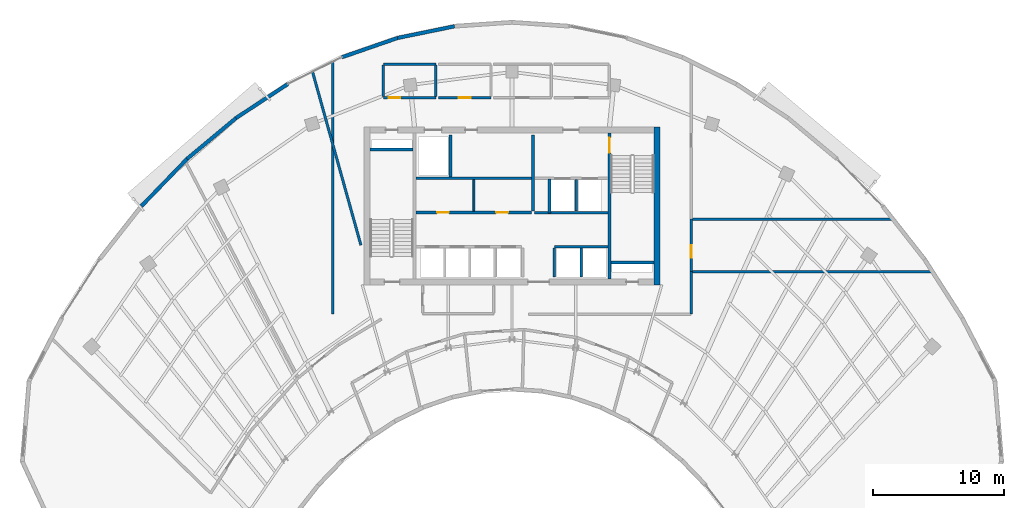
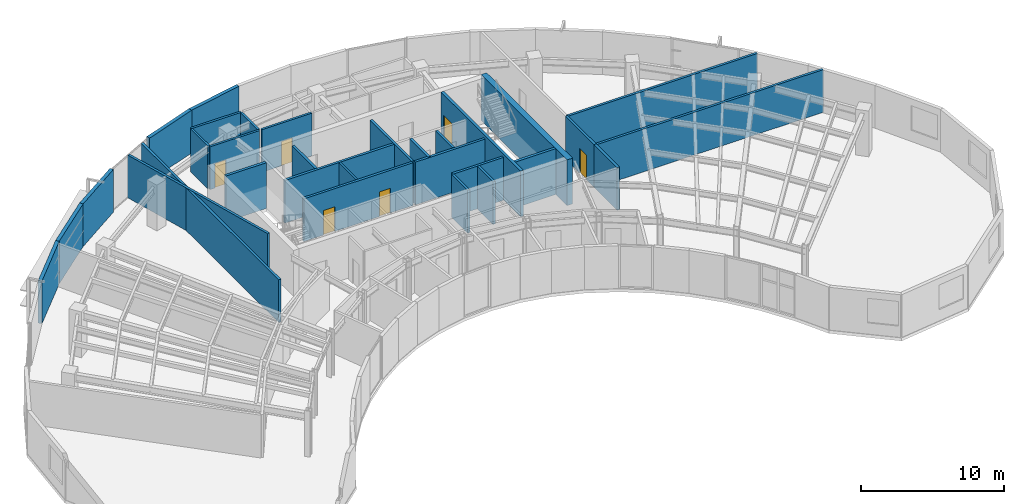
# One storey, part 10 of 14: 31 walls, 6 doors, 6 openings.
"""IFC4 building model written with IfcOpenShell, lengths in metres."""

from ifc_helpers import new_model, si_unit, direction, frame, frame_2d, origin, place, context, subcontext, project, spatial, rectangle, extrude, source, transform, mapped, material, layer, layer_set, type_object, type_shapes, element, fill, save


model = new_model("IFC4")

# Units and contexts
model_context = context("Model", 3, precision=1e-05, world=origin(), true_north=direction((0.0, 1.0)))
body_context = subcontext(model_context, "Body", "Model", "MODEL_VIEW")
ifc_project = project(units=[si_unit("LENGTHUNIT", "METRE"), si_unit("AREAUNIT", "SQUARE_METRE"), si_unit("VOLUMEUNIT", "CUBIC_METRE"), si_unit("PLANEANGLEUNIT", "RADIAN"), si_unit("MASSUNIT", "GRAM", prefix="KILO")], contexts=[model_context])

# Site, building, storey
site_placement = place(None, origin())
site = spatial("IfcSite", under=ifc_project, at=site_placement, CompositionType="ELEMENT")
building_placement = place(site_placement, origin())
building = spatial("IfcBuilding", under=site, at=building_placement, Name="Breltana Convention Tower", CompositionType="ELEMENT")
storey_placement = place(building_placement, frame((0.0, 0.0, 215.699951171875)))
storey = spatial("IfcBuildingStorey", under=building, at=storey_placement, Name="L52", CompositionType="ELEMENT", Elevation=215.699951171875)

# Walls
ifc_material_1 = material(Name="Concrete C50/60", Category="concrete")
ifc_layer_1 = layer(ifc_material_1, 0.39990234375, Name="Concrete C50/60")
ifc_layer_set_1 = layer_set([ifc_layer_1], Name="Concrete C50/60")
wall_type_1 = type_object("IfcWallType", Name="SW-CORE-400", PredefinedType="SHEAR", material=ifc_layer_set_1)
shared_shape_1 = source(origin(), body_context, "Body", "SweptSolid", [
    extrude(rectangle(XDim=3.27001953125, YDim=0.219970703125, at=frame_2d((1.635009765625, 0.0))), origin(), (0.0, 0.0, 1.0), 3.900146484375),
])
for number, where, z_axis, x_axis, name in (
    (1, (37.199951171875, 70.510009765625, 0.0), (0.0, 0.0, 1.0), (1.0, 0.0, 0.0), "L52 ST-1 Stairwell North Bearing Wall"),
    (2, (55.530029296875, 61.889892578125, 0.0), (0.0, 0.0, 1.0), (1.0, 0.0, 0.0), "L52 ST-2 Stairwell South Bearing Wall"),
):
    element("IfcWall", number, at=place(storey_placement, frame(where, z_axis=z_axis, x_axis=x_axis)), inside=storey, type_object=wall_type_1, Name=name, PredefinedType="SHEAR", context=body_context, shape_type="MappedRepresentation", body=[
        mapped(shared_shape_1, transform((0.0, 0.0, 0.0), scale=1.0)),
    ])
ifc_material_2 = material(Name="Concrete C60/75", Category="concrete")
ifc_layer_2 = layer(ifc_material_2, 0.449951171875, Name="Concrete C60/75")
ifc_layer_set_2 = layer_set([ifc_layer_2], Name="Concrete C60/75")
wall_type_2 = type_object("IfcWallType", Name="SW-CORE-450", PredefinedType="SHEAR", material=ifc_layer_set_2)
shared_shape_2 = source(origin(), body_context, "Body", "SweptSolid", [
    extrude(rectangle(XDim=12.0, YDim=0.449951171875, at=frame_2d((6.0, 0.0))), origin(), (0.0, 0.0, 1.0), 3.900146484375),
])
wall_1_placement = place(storey_placement, frame((59.02490234375, 60.199951171875, 0.0), z_axis=(0.0, 0.0, 1.0), x_axis=(0.0, 1.0, 0.0)))
element("IfcWall", 3, at=wall_1_placement, inside=storey, type_object=wall_type_2, Name="L52 East Core Shear Wall", PredefinedType="SHEAR", context=body_context, shape_type="MappedRepresentation", body=[
    mapped(shared_shape_2, transform((0.0, 0.0, 0.0), scale=1.0)),
])

# Wall, opening, door
shared_shape_3 = source(origin(), body_context, "Body", "SweptSolid", [
    extrude(rectangle(XDim=11.10009765625, YDim=0.219970703125, at=frame_2d((5.550048828125, 0.0))), origin(), (0.0, 0.0, 1.0), 3.900146484375),
])
wall_2_placement = place(storey_placement, frame((55.419921875, 60.64990234375, 0.0), z_axis=(0.0, 0.0, 1.0), x_axis=(0.0, 1.0, 0.0)))
wall_2 = element("IfcWall", 4, at=wall_2_placement, inside=storey, type_object=wall_type_1, Name="L52 Core East Stair Spine Wall", PredefinedType="SHEAR", context=body_context, shape_type="MappedRepresentation", body=[
    mapped(shared_shape_3, transform((0.0, 0.0, 0.0), scale=1.0)),
])
opening_1_placement = place(wall_2_placement, frame((9.594970703125, 0.0, 0.0)))
opening_1 = element("IfcOpeningElement", 5, at=opening_1_placement, cuts=wall_2, Name="Opening D-11", PredefinedType="OPENING", context=body_context, shape_type="SweptSolid", body=[
    extrude(rectangle(XDim=1.14990234375, YDim=2.14990234375, at=frame_2d((0.574951171875, 1.074951171875))), frame((0.0, 0.1201171875, 0.0), z_axis=(0.0, -1.0, 0.0), x_axis=(1.0, 0.0, 0.0)), (0.0, 0.0, 1.0), 0.239990234375),
])
ifc_material_3 = material(Name="Steel Stair Exit Door", Category="steel")
door_type_1 = type_object("IfcDoorType", Name="DR-FD120-1150", OperationType="NOTDEFINED", PredefinedType="DOOR", material=ifc_material_3)
shared_shape_4 = source(origin(), body_context, "Body", "SweptSolid", [
    extrude(rectangle(XDim=1.14990234375, YDim=2.14990234375, at=frame_2d((0.574951171875, 1.074951171875))), frame((0.0, 0.02490234375, 0.0), z_axis=(0.0, -1.0, 0.0), x_axis=(1.0, 0.0, 0.0)), (0.0, 0.0, 1.0), 0.050048828125),
])
type_shapes(door_type_1, [shared_shape_4])
door_1_placement = place(opening_1_placement, origin())
door_1 = element("IfcDoor", 6, at=door_1_placement, inside=storey, type_object=door_type_1, Name="L52 interior door D-L52-ST2", OperationType="SINGLE_SWING_LEFT", OverallHeight=2.14990234375, OverallWidth=1.14990234375, PredefinedType="DOOR", context=body_context, shape_type="MappedRepresentation", body=[
    mapped(shared_shape_4, transform((0.0, 0.0, 0.0), scale=1.0)),
])
fill(opening_1, door_1)

# Walls
ifc_material_4 = material(Name="Limestone Buff Insulated Wall", Category="masonry")
ifc_layer_3 = layer(ifc_material_4, 0.280029296875, Name="Limestone Buff Insulated Wall")
ifc_layer_set_3 = layer_set([ifc_layer_3], Name="Limestone Buff Insulated Wall")
wall_type_3 = type_object("IfcWallType", Name="WL-EXT-NOSE-280", PredefinedType="SOLIDWALL", material=ifc_layer_set_3)
shared_shape_5 = source(origin(), body_context, "Body", "SweptSolid", [
    extrude(rectangle(XDim=4.851806640625, YDim=0.280029296875, at=frame_2d((2.42578125, 0.0))), origin(), (0.0, 0.0, 1.0), 3.64013671875),
])
wall_3_placement = place(storey_placement, frame((23.26806640625, 69.787841796875, 0.0), z_axis=(0.0, 0.0, 1.0), x_axis=(0.767936605821, 0.640525853843, 0.0)))
element("IfcWall", 7, at=wall_3_placement, inside=storey, type_object=wall_type_3, Name="L52 curved limestone nose wall E22", PredefinedType="SOLIDWALL", context=body_context, shape_type="MappedRepresentation", body=[
    mapped(shared_shape_5, transform((0.0, 0.0, 0.0), scale=1.0)),
])
shared_shape_6 = source(origin(), body_context, "Body", "SweptSolid", [
    extrude(rectangle(XDim=4.712646484375, YDim=0.280029296875, at=frame_2d((2.3564453125, 0.0))), origin(), (0.0, 0.0, 1.0), 3.64013671875),
])
wall_4_placement = place(storey_placement, frame((26.993896484375, 72.8955078125, 0.0), z_axis=(0.0, 0.0, 1.0), x_axis=(0.835974386457, 0.548768462275, 0.0)))
element("IfcWall", 8, at=wall_4_placement, inside=storey, type_object=wall_type_3, Name="L52 curved limestone nose wall E23", PredefinedType="SOLIDWALL", context=body_context, shape_type="MappedRepresentation", body=[
    mapped(shared_shape_6, transform((0.0, 0.0, 0.0), scale=1.0)),
])
shared_shape_7 = source(origin(), body_context, "Body", "SweptSolid", [
    extrude(rectangle(XDim=4.4921875, YDim=0.280029296875, at=frame_2d((2.24609375, 0.0))), origin(), (0.0, 0.0, 1.0), 3.64013671875),
])
wall_5_placement = place(storey_placement, frame((35.04638671875, 77.520263671875, 0.0), z_axis=(0.0, 0.0, 1.0), x_axis=(0.944872297412, 0.32743906545, 0.0)))
element("IfcWall", 9, at=wall_5_placement, inside=storey, type_object=wall_type_3, Name="L52 curved limestone nose wall E24", PredefinedType="SOLIDWALL", context=body_context, shape_type="MappedRepresentation", body=[
    mapped(shared_shape_7, transform((0.0, 0.0, 0.0), scale=1.0)),
])
shared_shape_8 = source(origin(), body_context, "Body", "SweptSolid", [
    extrude(rectangle(XDim=4.42236328125, YDim=0.280029296875, at=frame_2d((2.211181640625, 0.0))), origin(), (0.0, 0.0, 1.0), 3.64013671875),
])
wall_6_placement = place(storey_placement, frame((39.291015625, 78.9912109375, 0.0), z_axis=(0.0, 0.0, 1.0), x_axis=(0.979624428875, 0.200838189476, 0.0)))
element("IfcWall", 10, at=wall_6_placement, inside=storey, type_object=wall_type_3, Name="L52 curved limestone nose wall E25", PredefinedType="SOLIDWALL", context=body_context, shape_type="MappedRepresentation", body=[
    mapped(shared_shape_8, transform((0.0, 0.0, 0.0), scale=1.0)),
])
shared_shape_9 = source(origin(), body_context, "Body", "SweptSolid", [
    extrude(rectangle(XDim=5.000732421875, YDim=0.280029296875, at=frame_2d((2.50048828125, 0.0))), origin(), (0.0, 0.0, 1.0), 3.64013671875),
])
wall_7_placement = place(storey_placement, frame((19.794677734375, 66.190185546875, 0.0), z_axis=(0.0, 0.0, 1.0), x_axis=(0.694572731818, 0.719422490762, 0.0)))
element("IfcWall", 11, at=wall_7_placement, inside=storey, type_object=wall_type_3, Name="L52 curved limestone nose wall E21", PredefinedType="SOLIDWALL", context=body_context, shape_type="MappedRepresentation", body=[
    mapped(shared_shape_9, transform((0.0, 0.0, 0.0), scale=1.0)),
])
ifc_material_5 = material(Name="Autoclaved Aerated Concrete Block", Category="concrete")
ifc_layer_4 = layer(ifc_material_5, 0.199951171875, Name="Autoclaved Aerated Concrete Block")
ifc_layer_set_4 = layer_set([ifc_layer_4], Name="Autoclaved Aerated Concrete Block")
wall_type_4 = type_object("IfcWallType", Name="WL-SHAFT-200", PredefinedType="SOLIDWALL", material=ifc_layer_set_4)
shared_shape_10 = source(origin(), body_context, "Body", "SweptSolid", [
    extrude(rectangle(XDim=2.239990234375, YDim=0.199951171875, at=frame_2d((1.1201171875, 0.0))), origin(), (0.0, 0.0, 1.0), 3.64013671875),
])
wall_8_placement = place(storey_placement, frame((51.219970703125, 60.780029296875, 0.0), z_axis=(0.0, 0.0, 1.0), x_axis=(0.0, 1.0, 0.0)))
element("IfcWall", 12, at=wall_8_placement, inside=storey, type_object=wall_type_4, Name="L52 interior partition W-L52-PORT-E", PredefinedType="SOLIDWALL", context=body_context, shape_type="MappedRepresentation", body=[
    mapped(shared_shape_10, transform((0.0, 0.0, 0.0), scale=1.0)),
])
shared_shape_11 = source(origin(), body_context, "Body", "SweptSolid", [
    extrude(rectangle(XDim=5.6201171875, YDim=0.199951171875, at=frame_2d((2.81005859375, 0.0))), origin(), (0.0, 0.0, 1.0), 3.64013671875),
])
wall_9_placement = place(storey_placement, frame((49.699951171875, 65.679931640625, 0.0), z_axis=(0.0, 0.0, 1.0), x_axis=(1.0, 0.0, 0.0)))
element("IfcWall", 13, at=wall_9_placement, inside=storey, type_object=wall_type_4, Name="L52 interior partition W-L52-FL-S", PredefinedType="SOLIDWALL", context=body_context, shape_type="MappedRepresentation", body=[
    mapped(shared_shape_11, transform((0.0, 0.0, 0.0), scale=1.0)),
])
shared_shape_12 = source(origin(), body_context, "Body", "SweptSolid", [
    extrude(rectangle(XDim=5.800048828125, YDim=0.199951171875, at=frame_2d((2.89990234375, 0.0))), origin(), (0.0, 0.0, 1.0), 3.64013671875),
])
wall_10_placement = place(storey_placement, frame((49.60009765625, 65.800048828125, 0.0), z_axis=(0.0, 0.0, 1.0), x_axis=(0.0, 1.0, 0.0)))
element("IfcWall", 14, at=wall_10_placement, inside=storey, type_object=wall_type_4, Name="L52 interior partition W-L52-FFL-W", PredefinedType="SOLIDWALL", context=body_context, shape_type="MappedRepresentation", body=[
    mapped(shared_shape_12, transform((0.0, 0.0, 0.0), scale=1.0)),
])
shared_shape_13 = source(origin(), body_context, "Body", "SweptSolid", [
    extrude(rectangle(XDim=2.580078125, YDim=0.199951171875, at=frame_2d((1.2900390625, 0.0))), origin(), (0.0, 0.0, 1.0), 3.64013671875),
])
wall_11_placement = place(storey_placement, frame((50.85009765625, 65.679931640625, 0.0), z_axis=(0.0, 0.0, 1.0), x_axis=(0.0, 1.0, 0.0)))
element("IfcWall", 15, at=wall_11_placement, inside=storey, type_object=wall_type_4, Name="L52 interior partition W-L52-FL-W", PredefinedType="SOLIDWALL", context=body_context, shape_type="MappedRepresentation", body=[
    mapped(shared_shape_13, transform((0.0, 0.0, 0.0), scale=1.0)),
])
shared_shape_14 = source(origin(), body_context, "Body", "SweptSolid", [
    extrude(rectangle(XDim=2.39990234375, YDim=0.199951171875, at=frame_2d((1.199951171875, 0.0))), origin(), (0.0, 0.0, 1.0), 3.64013671875),
])
wall_12_placement = place(storey_placement, frame((52.89990234375, 65.800048828125, 0.0), z_axis=(0.0, 0.0, 1.0), x_axis=(0.0, 1.0, 0.0)))
element("IfcWall", 16, at=wall_12_placement, inside=storey, type_object=wall_type_4, Name="L52 interior partition W-L52-FL-DIV", PredefinedType="SOLIDWALL", context=body_context, shape_type="MappedRepresentation", body=[
    mapped(shared_shape_14, transform((0.0, 0.0, 0.0), scale=1.0)),
])
shared_shape_15 = source(origin(), body_context, "Body", "SweptSolid", [
    extrude(rectangle(XDim=3.2001953125, YDim=0.199951171875, at=frame_2d((1.60009765625, 0.0))), origin(), (0.0, 0.0, 1.0), 3.64013671875),
])
wall_13_placement = place(storey_placement, frame((43.320068359375, 68.39990234375, 0.0), z_axis=(0.0, 0.0, 1.0), x_axis=(0.0, 1.0, 0.0)))
element("IfcWall", 17, at=wall_13_placement, inside=storey, type_object=wall_type_4, Name="L52 interior partition W-L52-SV-E", PredefinedType="SOLIDWALL", context=body_context, shape_type="MappedRepresentation", body=[
    mapped(shared_shape_15, transform((0.0, 0.0, 0.0), scale=1.0)),
])
shared_shape_16 = source(origin(), body_context, "Body", "SweptSolid", [
    extrude(rectangle(XDim=8.800048828125, YDim=0.199951171875, at=frame_2d((4.39990234375, 0.0))), origin(), (0.0, 0.0, 1.0), 3.64013671875),
])
wall_14_placement = place(storey_placement, frame((40.699951171875, 68.300048828125, 0.0), z_axis=(0.0, 0.0, 1.0), x_axis=(1.0, 0.0, 0.0)))
element("IfcWall", 18, at=wall_14_placement, inside=storey, type_object=wall_type_4, Name="L52 interior partition W-L52-SV-S", PredefinedType="SOLIDWALL", context=body_context, shape_type="MappedRepresentation", body=[
    mapped(shared_shape_16, transform((0.0, 0.0, 0.0), scale=1.0)),
])

# Wall, openings, doors
wall_15_placement = place(storey_placement, frame((40.699951171875, 65.699951171875, 0.0), z_axis=(0.0, 0.0, 1.0), x_axis=(1.0, 0.0, 0.0)))
wall_15 = element("IfcWall", 19, at=wall_15_placement, inside=storey, type_object=wall_type_4, Name="L52 interior partition W-L52-SH-M-FRONT", PredefinedType="SOLIDWALL", context=body_context, shape_type="MappedRepresentation", body=[
    mapped(shared_shape_16, transform((0.0, 0.0, 0.0), scale=1.0)),
])
opening_2_placement = place(wall_15_placement, frame((1.60009765625, 0.0, 0.0)))
opening_2 = element("IfcOpeningElement", 20, at=opening_2_placement, cuts=wall_15, Name="Opening D-18", PredefinedType="OPENING", context=body_context, shape_type="SweptSolid", body=[
    extrude(rectangle(XDim=0.89990234375, YDim=2.10009765625, at=frame_2d((0.449951171875, 1.050048828125))), frame((0.0, 0.10986328125, 0.0), z_axis=(0.0, -1.0, 0.0), x_axis=(1.0, 0.0, 0.0)), (0.0, 0.0, 1.0), 0.219970703125),
])
opening_3_placement = place(wall_15_placement, frame((6.10009765625, 0.0, 0.0)))
opening_3 = element("IfcOpeningElement", 21, at=opening_3_placement, cuts=wall_15, Name="Opening D-18", PredefinedType="OPENING", context=body_context, shape_type="SweptSolid", body=[
    extrude(rectangle(XDim=0.89990234375, YDim=2.10009765625, at=frame_2d((0.449951171875, 1.050048828125))), frame((0.0, 0.10986328125, 0.0), z_axis=(0.0, -1.0, 0.0), x_axis=(1.0, 0.0, 0.0)), (0.0, 0.0, 1.0), 0.219970703125),
])
ifc_material_6 = material(Name="Steel Riser Fire Door", Category="steel")
door_type_2 = type_object("IfcDoorType", Name="DR-FD60-900", OperationType="NOTDEFINED", PredefinedType="DOOR", material=ifc_material_6)
shared_shape_17 = source(origin(), body_context, "Body", "SweptSolid", [
    extrude(rectangle(XDim=0.89990234375, YDim=2.10009765625, at=frame_2d((0.449951171875, 1.050048828125))), frame((0.0, 0.02490234375, 0.0), z_axis=(0.0, -1.0, 0.0), x_axis=(1.0, 0.0, 0.0)), (0.0, 0.0, 1.0), 0.050048828125),
])
type_shapes(door_type_2, [shared_shape_17])
door_2_placement = place(opening_2_placement, origin())
door_2 = element("IfcDoor", 22, at=door_2_placement, inside=storey, type_object=door_type_2, Name="L52 interior door D-L52-LV7-B2A", OperationType="SINGLE_SWING_LEFT", OverallHeight=2.10009765625, OverallWidth=0.89990234375, PredefinedType="DOOR", context=body_context, shape_type="MappedRepresentation", body=[
    mapped(shared_shape_17, transform((0.0, 0.0, 0.0), scale=1.0)),
])
fill(opening_2, door_2)
door_3_placement = place(opening_3_placement, origin())
door_3 = element("IfcDoor", 23, at=door_3_placement, inside=storey, type_object=door_type_2, Name="L52 interior door D-L52-LV7-B2B", OperationType="SINGLE_SWING_RIGHT", OverallHeight=2.10009765625, OverallWidth=0.89990234375, PredefinedType="DOOR", context=body_context, shape_type="MappedRepresentation", body=[
    mapped(shared_shape_17, transform((0.0, 0.0, 0.0), scale=1.0)),
])
fill(opening_3, door_3)

# Walls
shared_shape_18 = source(origin(), body_context, "Body", "SweptSolid", [
    extrude(rectangle(XDim=4.10009765625, YDim=0.199951171875, at=frame_2d((2.050048828125, 0.0))), origin(), (0.0, 0.0, 1.0), 3.64013671875),
])
wall_16_placement = place(storey_placement, frame((51.219970703125, 63.10009765625, 0.0), z_axis=(0.0, 0.0, 1.0), x_axis=(1.0, 0.0, 0.0)))
element("IfcWall", 24, at=wall_16_placement, inside=storey, type_object=wall_type_4, Name="L52 interior partition W-L52-SH-X-FRONT", PredefinedType="SOLIDWALL", context=body_context, shape_type="MappedRepresentation", body=[
    mapped(shared_shape_18, transform((0.0, 0.0, 0.0), scale=1.0)),
])
shared_shape_19 = source(origin(), body_context, "Body", "SweptSolid", [
    extrude(rectangle(XDim=2.199951171875, YDim=0.199951171875, at=frame_2d((1.10009765625, 0.0))), origin(), (0.0, 0.0, 1.0), 3.64013671875),
])
wall_17_placement = place(storey_placement, frame((53.280029296875, 60.800048828125, 0.0), z_axis=(0.0, 0.0, 1.0), x_axis=(0.0, 1.0, 0.0)))
element("IfcWall", 25, at=wall_17_placement, inside=storey, type_object=wall_type_4, Name="L52 interior partition W-L52-SH-X-DIV", PredefinedType="SOLIDWALL", context=body_context, shape_type="MappedRepresentation", body=[
    mapped(shared_shape_19, transform((0.0, 0.0, 0.0), scale=1.0)),
])

# Wall, opening, door
ifc_material_7 = material(Name="Cement Board Wet-Area Partition")
ifc_layer_5 = layer(ifc_material_7, 0.175048828125, Name="Cement Board Wet-Area Partition")
ifc_layer_set_5 = layer_set([ifc_layer_5], Name="Cement Board Wet-Area Partition")
wall_type_5 = type_object("IfcWallType", Name="WL-WET-175", PredefinedType="PARTITIONING", material=ifc_layer_set_5)
shared_shape_20 = source(origin(), body_context, "Body", "SweptSolid", [
    extrude(rectangle(XDim=4.0, YDim=0.175048828125, at=frame_2d((2.0, 0.0))), origin(), (0.0, 0.0, 1.0), 3.64013671875),
])
wall_18_placement = place(storey_placement, frame((38.199951171875, 74.43994140625, 0.0), z_axis=(0.0, 0.0, 1.0), x_axis=(1.0, 0.0, 0.0)))
wall_18 = element("IfcWall", 26, at=wall_18_placement, inside=storey, type_object=wall_type_5, Name="L52 interior partition W-L52-WCM-S", PredefinedType="PARTITIONING", context=body_context, shape_type="MappedRepresentation", body=[
    mapped(shared_shape_20, transform((0.0, 0.0, 0.0), scale=1.0)),
])
opening_4_placement = place(wall_18_placement, frame((0.39990234375, 0.0, 0.0)))
opening_4 = element("IfcOpeningElement", 27, at=opening_4_placement, cuts=wall_18, Name="Opening D-19", PredefinedType="OPENING", context=body_context, shape_type="SweptSolid", body=[
    extrude(rectangle(XDim=0.89990234375, YDim=2.080078125, at=frame_2d((0.449951171875, 1.0400390625))), frame((0.0, 0.09765625, 0.0), z_axis=(0.0, -1.0, 0.0), x_axis=(1.0, 0.0, 0.0)), (0.0, 0.0, 1.0), 0.195068359375),
])
ifc_material_8 = material(Name="Timber Moisture-Resistant Door", Category="wood")
door_type_3 = type_object("IfcDoorType", Name="DR-WC-900", OperationType="NOTDEFINED", PredefinedType="DOOR", material=ifc_material_8)
shared_shape_21 = source(origin(), body_context, "Body", "SweptSolid", [
    extrude(rectangle(XDim=0.89990234375, YDim=2.080078125, at=frame_2d((0.449951171875, 1.0400390625))), frame((0.0, 0.02490234375, 0.0), z_axis=(0.0, -1.0, 0.0), x_axis=(1.0, 0.0, 0.0)), (0.0, 0.0, 1.0), 0.050048828125),
])
type_shapes(door_type_3, [shared_shape_21])
door_4_placement = place(opening_4_placement, origin())
door_4 = element("IfcDoor", 28, at=door_4_placement, inside=storey, type_object=door_type_3, Name="L52 interior door D-L52-WCM", OperationType="SINGLE_SWING_RIGHT", OverallHeight=2.080078125, OverallWidth=0.89990234375, PredefinedType="DOOR", context=body_context, shape_type="MappedRepresentation", body=[
    mapped(shared_shape_21, transform((0.0, 0.0, 0.0), scale=1.0)),
])
fill(opening_4, door_4)

wall_19_placement = place(storey_placement, frame((42.39990234375, 74.43994140625, 0.0), z_axis=(0.0, 0.0, 1.0), x_axis=(1.0, 0.0, 0.0)))
wall_19 = element("IfcWall", 29, at=wall_19_placement, inside=storey, type_object=wall_type_5, Name="L52 interior partition W-L52-WCF-S", PredefinedType="PARTITIONING", context=body_context, shape_type="MappedRepresentation", body=[
    mapped(shared_shape_20, transform((0.0, 0.0, 0.0), scale=1.0)),
])
opening_5_placement = place(wall_19_placement, frame((1.550048828125, 0.0, 0.0)))
opening_5 = element("IfcOpeningElement", 30, at=opening_5_placement, cuts=wall_19, Name="Opening D-19", PredefinedType="OPENING", context=body_context, shape_type="SweptSolid", body=[
    extrude(rectangle(XDim=0.89990234375, YDim=2.080078125, at=frame_2d((0.449951171875, 1.0400390625))), frame((0.0, 0.09765625, 0.0), z_axis=(0.0, -1.0, 0.0), x_axis=(1.0, 0.0, 0.0)), (0.0, 0.0, 1.0), 0.195068359375),
])
door_5_placement = place(opening_5_placement, origin())
door_5 = element("IfcDoor", 31, at=door_5_placement, inside=storey, type_object=door_type_3, Name="L52 interior door D-L52-WCF", OperationType="SINGLE_SWING_LEFT", OverallHeight=2.080078125, OverallWidth=0.89990234375, PredefinedType="DOOR", context=body_context, shape_type="MappedRepresentation", body=[
    mapped(shared_shape_21, transform((0.0, 0.0, 0.0), scale=1.0)),
])
fill(opening_5, door_5)

# Walls
ifc_material_9 = material(Name="Moisture-Resistant Gypsum Chase Wall")
ifc_layer_6 = layer(ifc_material_9, 0.179931640625, Name="Moisture-Resistant Gypsum Chase Wall")
ifc_layer_set_6 = layer_set([ifc_layer_6], Name="Moisture-Resistant Gypsum Chase Wall")
wall_type_6 = type_object("IfcWallType", Name="WL-PLUMB-180", PredefinedType="PLUMBINGWALL", material=ifc_layer_set_6)
shared_shape_22 = source(origin(), body_context, "Body", "SweptSolid", [
    extrude(rectangle(XDim=4.0, YDim=0.179931640625, at=frame_2d((2.0, 0.0))), origin(), (0.0, 0.0, 1.0), 3.64013671875),
])
wall_20_placement = place(storey_placement, frame((38.199951171875, 77.0, 0.0), z_axis=(0.0, 0.0, 1.0), x_axis=(1.0, 0.0, 0.0)))
element("IfcWall", 32, at=wall_20_placement, inside=storey, type_object=wall_type_6, Name="L52 interior partition W-L52-WCM-N", PredefinedType="PLUMBINGWALL", context=body_context, shape_type="MappedRepresentation", body=[
    mapped(shared_shape_22, transform((0.0, 0.0, 0.0), scale=1.0)),
])
shared_shape_23 = source(origin(), body_context, "Body", "SweptSolid", [
    extrude(rectangle(XDim=2.402587890625, YDim=0.175048828125, at=frame_2d((1.201171875, 0.0))), origin(), (0.0, 0.0, 1.0), 3.64013671875),
])
for number, where, z_axis, x_axis, name in (
    (33, (38.199951171875, 74.518798828125, 0.0), (0.0, 0.0, 1.0), (0.0, 1.0, 0.0), "L52 interior partition W-L52-WCM-W"),
    (34, (42.199951171875, 74.518798828125, 0.0), (0.0, 0.0, 1.0), (0.0, 1.0, 0.0), "L52 interior partition W-L52-WCM-E"),
):
    element("IfcWall", number, at=place(storey_placement, frame(where, z_axis=z_axis, x_axis=x_axis)), inside=storey, type_object=wall_type_5, Name=name, PredefinedType="PARTITIONING", context=body_context, shape_type="MappedRepresentation", body=[
        mapped(shared_shape_23, transform((0.0, 0.0, 0.0), scale=1.0)),
    ])
ifc_material_10 = material(Name="Gypsum Acoustic Drywall Partition")
ifc_layer_7 = layer(ifc_material_10, 0.14990234375, Name="Gypsum Acoustic Drywall Partition")
ifc_layer_set_7 = layer_set([ifc_layer_7], Name="Gypsum Acoustic Drywall Partition")
wall_type_7 = type_object("IfcWallType", Name="WL-PART-150", PredefinedType="PARTITIONING", material=ifc_layer_set_7)
shared_shape_24 = source(origin(), body_context, "Body", "SweptSolid", [
    extrude(rectangle(XDim=2.39990234375, YDim=0.14990234375, at=frame_2d((1.199951171875, 0.0))), origin(), (0.0, 0.0, 1.0), 3.64013671875),
])
wall_21_placement = place(storey_placement, frame((45.10009765625, 65.800048828125, 0.0), z_axis=(0.0, 0.0, 1.0), x_axis=(0.0, 1.0, 0.0)))
element("IfcWall", 35, at=wall_21_placement, inside=storey, type_object=wall_type_7, Name="L52 interior partition W-L52-LV7-B2-DIV", PredefinedType="PARTITIONING", context=body_context, shape_type="MappedRepresentation", body=[
    mapped(shared_shape_24, transform((0.0, 0.0, 0.0), scale=1.0)),
])
ifc_material_11 = material(Name="Gypsum Acoustic Hotel Wall")
ifc_layer_8 = layer(ifc_material_11, 0.195068359375, Name="Gypsum Acoustic Hotel Wall")
ifc_layer_set_8 = layer_set([ifc_layer_8], Name="Gypsum Acoustic Hotel Wall")
wall_type_8 = type_object("IfcWallType", Name="WL-HOTEL-200", PredefinedType="PARTITIONING", material=ifc_layer_set_8)
shared_shape_25 = source(origin(), body_context, "Body", "SweptSolid", [
    extrude(rectangle(XDim=13.693603515625, YDim=0.195068359375, at=frame_2d((6.8466796875, 0.0))), origin(), (0.0, 0.0, 1.0), 3.64013671875),
])
wall_22_placement = place(storey_placement, frame((36.5, 63.2158203125, 0.0), z_axis=(0.0, 0.0, 1.0), x_axis=(-0.268753576604, 0.963208967495, 0.0)))
element("IfcWall", 36, at=wall_22_placement, inside=storey, type_object=wall_type_8, Name="L52 interior partition W-L52-EXWR2-RB", PredefinedType="PARTITIONING", context=body_context, shape_type="MappedRepresentation", body=[
    mapped(shared_shape_25, transform((0.0, 0.0, 0.0), scale=1.0)),
])
shared_shape_26 = source(origin(), body_context, "Body", "SweptSolid", [
    extrude(rectangle(XDim=19.208740234375, YDim=0.195068359375, at=frame_2d((9.6044921875, 0.0))), origin(), (0.0, 0.0, 1.0), 3.64013671875),
])
wall_23_placement = place(storey_placement, frame((34.360107421875, 57.9599609375, 0.0), z_axis=(0.0, 0.0, 1.0), x_axis=(0.0, 1.0, 0.0)))
element("IfcWall", 37, at=wall_23_placement, inside=storey, type_object=wall_type_8, Name="L52 interior partition W-L52-EXWR-CL", PredefinedType="PARTITIONING", context=body_context, shape_type="MappedRepresentation", body=[
    mapped(shared_shape_26, transform((0.0, 0.0, 0.0), scale=1.0)),
])
shared_shape_27 = source(origin(), body_context, "Body", "SweptSolid", [
    extrude(rectangle(XDim=18.34228515625, YDim=0.195068359375, at=frame_2d((9.171142578125, 0.0))), origin(), (0.0, 0.0, 1.0), 3.64013671875),
])
wall_24_placement = place(storey_placement, frame((61.639892578125, 61.199951171875, 0.0), z_axis=(0.0, 0.0, 1.0), x_axis=(1.0, 0.0, 0.0)))
element("IfcWall", 38, at=wall_24_placement, inside=storey, type_object=wall_type_8, Name="L52 interior partition W-L52-EXE1-N", PredefinedType="PARTITIONING", context=body_context, shape_type="MappedRepresentation", body=[
    mapped(shared_shape_27, transform((0.0, 0.0, 0.0), scale=1.0)),
])
shared_shape_28 = source(origin(), body_context, "Body", "SweptSolid", [
    extrude(rectangle(XDim=3.239990234375, YDim=0.195068359375, at=frame_2d((1.6201171875, 0.0))), origin(), (0.0, 0.0, 1.0), 3.64013671875),
])
wall_25_placement = place(storey_placement, frame((61.639892578125, 57.9599609375, 0.0), z_axis=(0.0, 0.0, 1.0), x_axis=(0.0, 1.0, 0.0)))
element("IfcWall", 39, at=wall_25_placement, inside=storey, type_object=wall_type_8, Name="L52 interior partition W-L52-EXE1-ENT", PredefinedType="PARTITIONING", context=body_context, shape_type="MappedRepresentation", body=[
    mapped(shared_shape_28, transform((0.0, 0.0, 0.0), scale=1.0)),
])
shared_shape_29 = source(origin(), body_context, "Body", "SweptSolid", [
    extrude(rectangle(XDim=15.33154296875, YDim=0.195068359375, at=frame_2d((7.665771484375, 0.0))), origin(), (0.0, 0.0, 1.0), 3.64013671875),
])
wall_26_placement = place(storey_placement, frame((61.639892578125, 65.199951171875, 0.0), z_axis=(0.0, 0.0, 1.0), x_axis=(1.0, 0.0, 0.0)))
element("IfcWall", 40, at=wall_26_placement, inside=storey, type_object=wall_type_8, Name="L52 interior partition W-L52-EXE2-N", PredefinedType="PARTITIONING", context=body_context, shape_type="MappedRepresentation", body=[
    mapped(shared_shape_29, transform((0.0, 0.0, 0.0), scale=1.0)),
])

# Wall, opening, door
shared_shape_30 = source(origin(), body_context, "Body", "SweptSolid", [
    extrude(rectangle(XDim=4.0, YDim=0.195068359375, at=frame_2d((2.0, 0.0))), origin(), (0.0, 0.0, 1.0), 3.64013671875),
])
wall_27_placement = place(storey_placement, frame((61.639892578125, 61.199951171875, 0.0), z_axis=(0.0, 0.0, 1.0), x_axis=(0.0, 1.0, 0.0)))
wall_27 = element("IfcWall", 41, at=wall_27_placement, inside=storey, type_object=wall_type_8, Name="L52 interior partition W-L52-EXE2-ENT", PredefinedType="PARTITIONING", context=body_context, shape_type="MappedRepresentation", body=[
    mapped(shared_shape_30, transform((0.0, 0.0, 0.0), scale=1.0)),
])
opening_6_placement = place(wall_27_placement, frame((1.044921875, 0.0, 0.0)))
opening_6 = element("IfcOpeningElement", 42, at=opening_6_placement, cuts=wall_27, Name="Opening D-17", PredefinedType="OPENING", context=body_context, shape_type="SweptSolid", body=[
    extrude(rectangle(XDim=0.949951171875, YDim=2.10009765625, at=frame_2d((0.47509765625, 1.050048828125))), frame((0.0, 0.107421875, 0.0), z_axis=(0.0, -1.0, 0.0), x_axis=(1.0, 0.0, 0.0)), (0.0, 0.0, 1.0), 0.215087890625),
])
ifc_material_12 = material(Name="Timber Oak Veneer Door", Category="wood")
door_type_4 = type_object("IfcDoorType", Name="DR-INT-950", OperationType="NOTDEFINED", PredefinedType="DOOR", material=ifc_material_12)
shared_shape_31 = source(origin(), body_context, "Body", "SweptSolid", [
    extrude(rectangle(XDim=0.949951171875, YDim=2.10009765625, at=frame_2d((0.47509765625, 1.050048828125))), frame((0.0, 0.02490234375, 0.0), z_axis=(0.0, -1.0, 0.0), x_axis=(1.0, 0.0, 0.0)), (0.0, 0.0, 1.0), 0.050048828125),
])
type_shapes(door_type_4, [shared_shape_31])
door_6_placement = place(opening_6_placement, origin())
door_6 = element("IfcDoor", 43, at=door_6_placement, inside=storey, type_object=door_type_4, Name="L52 interior door D-L52-EXE2", OperationType="SINGLE_SWING_RIGHT", OverallHeight=2.10009765625, OverallWidth=0.949951171875, PredefinedType="DOOR", context=body_context, shape_type="MappedRepresentation", body=[
    mapped(shared_shape_31, transform((0.0, 0.0, 0.0), scale=1.0)),
])
fill(opening_6, door_6)

save(model, "model.ifc")
